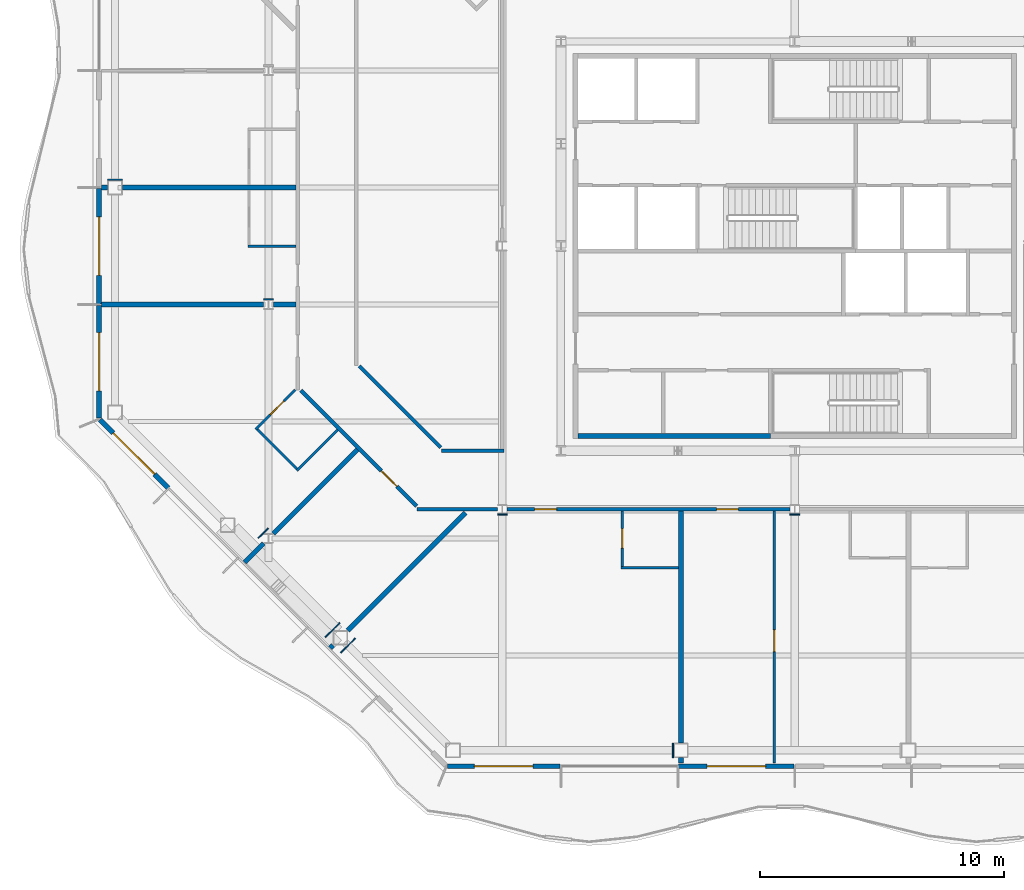
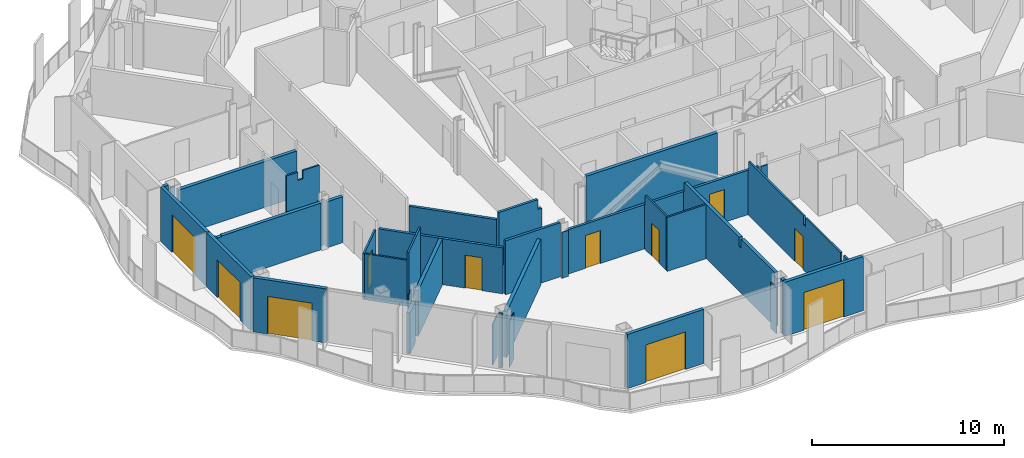
# One storey, part 7 of 21: 36 walls, 11 doors, 11 openings.
"""IFC4 building model written with IfcOpenShell, lengths in metres."""

from ifc_helpers import new_model, si_unit, direction, frame, frame_2d, origin, place, context, subcontext, project, spatial, polyline, rectangle, outline, extrude, material, layer, layer_set, type_object, element, fill, save


model = new_model("IFC4")

# Units and contexts
model_context = context("Model", 3, precision=1e-05, world=origin(), true_north=direction((0.0, 1.0)))
body_context = subcontext(model_context, "Body", "Model", "MODEL_VIEW")
ifc_project = project(units=[si_unit("LENGTHUNIT", "METRE"), si_unit("AREAUNIT", "SQUARE_METRE"), si_unit("VOLUMEUNIT", "CUBIC_METRE"), si_unit("PLANEANGLEUNIT", "RADIAN"), si_unit("MASSUNIT", "GRAM", prefix="KILO")], contexts=[model_context])

# Site, building, storey
site_placement = place(None, origin())
site = spatial("IfcSite", under=ifc_project, at=site_placement, CompositionType="ELEMENT")
building_placement = place(site_placement, origin())
building = spatial("IfcBuilding", under=site, at=building_placement, Name="Cairn Pilgrim Tower", CompositionType="ELEMENT")
storey_placement = place(building_placement, frame((0.0, 0.0, 157.800048828125)))
storey = spatial("IfcBuildingStorey", under=building, at=storey_placement, Name="L39", CompositionType="ELEMENT", Elevation=157.800048828125)

# Wall, opening, door
ifc_material_1 = material(Name="Bronze anodised aluminium insulated sandwich panel with mineral wool fill", Category="aluminium")
ifc_layer_1 = layer(ifc_material_1, 0.199951171875)
ifc_layer_set_1 = layer_set([ifc_layer_1], Name="BRONZE INFILL FRAME WALL 200")
wall_type_1 = type_object("IfcWallType", Name="BRONZE INFILL FRAME WALL 200", PredefinedType="NOTDEFINED", material=ifc_layer_set_1)
wall_1_placement = place(storey_placement, frame((-7.056396484375, -18.949951171875, 0.0), z_axis=(0.0, 0.0, 1.0), x_axis=(1.0, 0.0, 0.0)))
wall_1 = element("IfcWall", 1, at=wall_1_placement, inside=storey, type_object=wall_type_1, Name="Bronze infill frame wall IW-S1", PredefinedType="NOTDEFINED", context=body_context, shape_type="SweptSolid", body=[
    extrude(rectangle(XDim=4.62646484375, YDim=0.199951171875, at=frame_2d((2.313232421875, 0.0))), origin(), (0.0, 0.0, 1.0), 3.449951171875),
])
opening_1_placement = place(wall_1_placement, frame((1.1083984375, 0.0, 0.0)))
opening_1 = element("IfcOpeningElement", 2, at=opening_1_placement, cuts=wall_1, Name="Opening 3921B2", PredefinedType="OPENING", context=body_context, shape_type="SweptSolid", body=[
    extrude(rectangle(XDim=2.39990234375, YDim=2.39990234375, at=frame_2d((1.199951171875, 1.199951171875))), frame((0.0, 0.10986328125, 0.0), z_axis=(0.0, -1.0, 0.0), x_axis=(1.0, 0.0, 0.0)), (0.0, 0.0, 1.0), 0.219970703125),
])
ifc_material_2 = material(Name="Bronze anodised aluminium frame with tinted low-E glass", Category="aluminium")
door_type_1 = type_object("IfcDoorType", Name="BALCONY SLIDING DOOR 2400x2400", OperationType="DOUBLE_DOOR_SLIDING", PredefinedType="DOOR", material=ifc_material_2)
door_1_placement = place(opening_1_placement, origin())
door_1 = element("IfcDoor", 3, at=door_1_placement, inside=storey, type_object=door_type_1, Name="Balcony sliding door 3921B2", OperationType="SINGLE_SWING_LEFT", OverallHeight=2.39990234375, OverallWidth=2.39990234375, PredefinedType="DOOR", context=body_context, shape_type="SweptSolid", body=[
    extrude(rectangle(XDim=2.39990234375, YDim=2.39990234375, at=frame_2d((1.199951171875, 1.199951171875))), frame((0.0, 0.02490234375, 0.0), z_axis=(0.0, -1.0, 0.0), x_axis=(1.0, 0.0, 0.0)), (0.0, 0.0, 1.0), 0.050048828125),
])
fill(opening_1, door_1)

wall_2_placement = place(storey_placement, frame((2.429931640625, -18.949951171875, 0.0), z_axis=(0.0, 0.0, 1.0), x_axis=(1.0, 0.0, 0.0)))
wall_2 = element("IfcWall", 4, at=wall_2_placement, inside=storey, type_object=wall_type_1, Name="Bronze infill frame wall IW-S3", PredefinedType="NOTDEFINED", context=body_context, shape_type="SweptSolid", body=[
    extrude(rectangle(XDim=4.739990234375, YDim=0.199951171875, at=frame_2d((2.3701171875, 0.0))), origin(), (0.0, 0.0, 1.0), 3.449951171875),
])
opening_2_placement = place(wall_2_placement, frame((1.17041015625, 0.0, 0.0)))
opening_2 = element("IfcOpeningElement", 5, at=opening_2_placement, cuts=wall_2, Name="Opening 3922B", PredefinedType="OPENING", context=body_context, shape_type="SweptSolid", body=[
    extrude(rectangle(XDim=2.39990234375, YDim=2.39990234375, at=frame_2d((1.199951171875, 1.199951171875))), frame((0.0, 0.10986328125, 0.0), z_axis=(0.0, -1.0, 0.0), x_axis=(1.0, 0.0, 0.0)), (0.0, 0.0, 1.0), 0.219970703125),
])
door_2_placement = place(opening_2_placement, origin())
door_2 = element("IfcDoor", 6, at=door_2_placement, inside=storey, type_object=door_type_1, Name="Balcony sliding door 3922B", OperationType="SINGLE_SWING_LEFT", OverallHeight=2.39990234375, OverallWidth=2.39990234375, PredefinedType="DOOR", context=body_context, shape_type="SweptSolid", body=[
    extrude(rectangle(XDim=2.39990234375, YDim=2.39990234375, at=frame_2d((1.199951171875, 1.199951171875))), frame((0.0, 0.02490234375, 0.0), z_axis=(0.0, -1.0, 0.0), x_axis=(1.0, 0.0, 0.0)), (0.0, 0.0, 1.0), 0.050048828125),
])
fill(opening_2, door_2)

wall_3_placement = place(storey_placement, frame((-21.35009765625, 4.77001953125, 0.0), z_axis=(0.0, 0.0, 1.0), x_axis=(0.0, -1.0, 0.0)))
wall_3 = element("IfcWall", 7, at=wall_3_placement, inside=storey, type_object=wall_type_1, Name="Bronze infill frame wall IW-W3", PredefinedType="NOTDEFINED", context=body_context, shape_type="SweptSolid", body=[
    extrude(rectangle(XDim=4.739990234375, YDim=0.199951171875, at=frame_2d((2.3701171875, 0.0))), origin(), (0.0, 0.0, 1.0), 3.449951171875),
])
opening_3_placement = place(wall_3_placement, frame((1.169921875, 0.0, 0.0)))
opening_3 = element("IfcOpeningElement", 8, at=opening_3_placement, cuts=wall_3, Name="Opening 3918B", PredefinedType="OPENING", context=body_context, shape_type="SweptSolid", body=[
    extrude(rectangle(XDim=2.39990234375, YDim=2.39990234375, at=frame_2d((1.199951171875, 1.199951171875))), frame((0.0, 0.10986328125, 0.0), z_axis=(0.0, -1.0, 0.0), x_axis=(1.0, 0.0, 0.0)), (0.0, 0.0, 1.0), 0.219970703125),
])
door_3_placement = place(opening_3_placement, origin())
door_3 = element("IfcDoor", 9, at=door_3_placement, inside=storey, type_object=door_type_1, Name="Balcony sliding door 3918B", OperationType="SINGLE_SWING_LEFT", OverallHeight=2.39990234375, OverallWidth=2.39990234375, PredefinedType="DOOR", context=body_context, shape_type="SweptSolid", body=[
    extrude(rectangle(XDim=2.39990234375, YDim=2.39990234375, at=frame_2d((1.199951171875, 1.199951171875))), frame((0.0, 0.02490234375, 0.0), z_axis=(0.0, -1.0, 0.0), x_axis=(1.0, 0.0, 0.0)), (0.0, 0.0, 1.0), 0.050048828125),
])
fill(opening_3, door_3)

wall_4_placement = place(storey_placement, frame((-21.35009765625, -0.030029296875, 0.0), z_axis=(0.0, 0.0, 1.0), x_axis=(0.0, -1.0, 0.0)))
wall_4 = element("IfcWall", 10, at=wall_4_placement, inside=storey, type_object=wall_type_1, Name="Bronze infill frame wall IW-W4", PredefinedType="NOTDEFINED", context=body_context, shape_type="SweptSolid", body=[
    extrude(rectangle(XDim=4.62646484375, YDim=0.199951171875, at=frame_2d((2.313232421875, 0.0))), origin(), (0.0, 0.0, 1.0), 3.449951171875),
])
opening_4_placement = place(wall_4_placement, frame((1.117919921875, 0.0, 0.0)))
opening_4 = element("IfcOpeningElement", 11, at=opening_4_placement, cuts=wall_4, Name="Opening 3919B", PredefinedType="OPENING", context=body_context, shape_type="SweptSolid", body=[
    extrude(rectangle(XDim=2.39990234375, YDim=2.39990234375, at=frame_2d((1.199951171875, 1.199951171875))), frame((0.0, 0.10986328125, 0.0), z_axis=(0.0, -1.0, 0.0), x_axis=(1.0, 0.0, 0.0)), (0.0, 0.0, 1.0), 0.219970703125),
])
door_4_placement = place(opening_4_placement, origin())
door_4 = element("IfcDoor", 12, at=door_4_placement, inside=storey, type_object=door_type_1, Name="Balcony sliding door 3919B", OperationType="SINGLE_SWING_LEFT", OverallHeight=2.39990234375, OverallWidth=2.39990234375, PredefinedType="DOOR", context=body_context, shape_type="SweptSolid", body=[
    extrude(rectangle(XDim=2.39990234375, YDim=2.39990234375, at=frame_2d((1.199951171875, 1.199951171875))), frame((0.0, 0.02490234375, 0.0), z_axis=(0.0, -1.0, 0.0), x_axis=(1.0, 0.0, 0.0)), (0.0, 0.0, 1.0), 0.050048828125),
])
fill(opening_4, door_4)

wall_5_placement = place(storey_placement, frame((-21.32177734375, -4.724609375, 0.0), z_axis=(0.0, 0.0, 1.0), x_axis=(0.707106781187, -0.707106781187, 0.0)))
wall_5 = element("IfcWall", 13, at=wall_5_placement, inside=storey, type_object=wall_type_1, Name="Bronze infill frame wall IW-SW1", PredefinedType="NOTDEFINED", context=body_context, shape_type="SweptSolid", body=[
    extrude(rectangle(XDim=3.961669921875, YDim=0.199951171875, at=frame_2d((1.98095703125, 0.0))), origin(), (0.0, 0.0, 1.0), 3.449951171875),
])
opening_5_placement = place(wall_5_placement, frame((0.775390625, 0.0, 0.0)))
opening_5 = element("IfcOpeningElement", 14, at=opening_5_placement, cuts=wall_5, Name="Opening 3919B2", PredefinedType="OPENING", context=body_context, shape_type="SweptSolid", body=[
    extrude(rectangle(XDim=2.39990234375, YDim=2.39990234375, at=frame_2d((1.199951171875, 1.199951171875))), frame((0.0, 0.10986328125, 0.0), z_axis=(0.0, -1.0, 0.0), x_axis=(1.0, 0.0, 0.0)), (0.0, 0.0, 1.0), 0.219970703125),
])
door_5_placement = place(opening_5_placement, origin())
door_5 = element("IfcDoor", 15, at=door_5_placement, inside=storey, type_object=door_type_1, Name="Balcony sliding door 3919B2", OperationType="SINGLE_SWING_LEFT", OverallHeight=2.39990234375, OverallWidth=2.39990234375, PredefinedType="DOOR", context=body_context, shape_type="SweptSolid", body=[
    extrude(rectangle(XDim=2.39990234375, YDim=2.39990234375, at=frame_2d((1.199951171875, 1.199951171875))), frame((0.0, 0.02490234375, 0.0), z_axis=(0.0, -1.0, 0.0), x_axis=(1.0, 0.0, 0.0)), (0.0, 0.0, 1.0), 0.050048828125),
])
fill(opening_5, door_5)

# Wall
ifc_material_3 = material(Name="Concrete C32/40", Category="concrete")
ifc_layer_2 = layer(ifc_material_3, 0.199951171875)
ifc_layer_set_2 = layer_set([ifc_layer_2], Name="CORE OUTER WALL 200 EI 120")
wall_type_2 = type_object("IfcWallType", Name="CORE OUTER WALL 200 EI 120", PredefinedType="SOLIDWALL", material=ifc_layer_set_2)
wall_6_placement = place(storey_placement, frame((-1.699951171875, -5.39990234375, 0.0), z_axis=(0.0, 0.0, 1.0), x_axis=(1.0, 0.0, 0.0)))
element("IfcWall", 16, at=wall_6_placement, inside=storey, type_object=wall_type_2, Name="CW:L39:H01-1", PredefinedType="SOLIDWALL", context=body_context, shape_type="SweptSolid", body=[
    extrude(rectangle(XDim=7.89990234375, YDim=0.199951171875, at=frame_2d((3.949951171875, 0.0))), origin(), (0.0, 0.0, 1.0), 3.449951171875),
])

# Wall, opening, door
ifc_material_4 = material(Name="Gypsum partition")
ifc_layer_3 = layer(ifc_material_4, 0.10009765625)
ifc_layer_set_3 = layer_set([ifc_layer_3], Name="PARTITION 100 DRYWALL")
wall_type_3 = type_object("IfcWallType", Name="PARTITION 100 DRYWALL", PredefinedType="PARTITIONING", material=ifc_layer_set_3)
wall_7_placement = place(storey_placement, frame((6.35791015625, -18.820068359375, 0.0), z_axis=(0.0, 0.0, 1.0), x_axis=(0.0, 1.0, 0.0)))
wall_7 = element("IfcWall", 17, at=wall_7_placement, inside=storey, type_object=wall_type_3, Name="PARTITION W002", PredefinedType="PARTITIONING", context=body_context, shape_type="SweptSolid", body=[
    extrude(outline(polyline([(0.0, 0.0), (10.344970703125, 0.0), (10.344970703125, 2.829833984375), (10.27001953125, 2.829833984375), (10.26806640625, 3.449951171875), (4.52490234375, 3.449951171875), (4.52294921875, 2.8798828125), (4.31494140625, 2.8798828125), (4.31298828125, 3.449951171875), (0.669921875, 3.449951171875), (0.66796875, 2.929931640625), (0.3701171875, 2.929931640625), (0.367919921875, 3.449951171875), (0.0, 3.449951171875), (0.0, 0.0)])), frame((0.0, 0.050048828125, 0.0), z_axis=(0.0, -1.0, 0.0), x_axis=(1.0, 0.0, 0.0)), (0.0, 0.0, 1.0), 0.10009765625),
])
opening_6_placement = place(wall_7_placement, frame((4.570068359375, 0.0, 0.0)))
opening_6 = element("IfcOpeningElement", 18, at=opening_6_placement, cuts=wall_7, Name="Opening 3922C", PredefinedType="OPENING", context=body_context, shape_type="SweptSolid", body=[
    extrude(rectangle(XDim=0.89990234375, YDim=2.10009765625, at=frame_2d((0.449951171875, 1.050048828125))), frame((0.0, 0.06005859375, 0.0), z_axis=(0.0, -1.0, 0.0), x_axis=(1.0, 0.0, 0.0)), (0.0, 0.0, 1.0), 0.1201171875),
])
ifc_material_5 = material(Name="Timber door leaf", Category="wood")
door_type_2 = type_object("IfcDoorType", Name="SERVICE DOOR 900x2100", OperationType="NOTDEFINED", PredefinedType="DOOR", material=ifc_material_5)
door_6_placement = place(opening_6_placement, origin())
door_6 = element("IfcDoor", 19, at=door_6_placement, inside=storey, type_object=door_type_2, Name="DOOR 3922C", OperationType="SINGLE_SWING_LEFT", OverallHeight=2.10009765625, OverallWidth=0.89990234375, PredefinedType="DOOR", context=body_context, shape_type="SweptSolid", body=[
    extrude(rectangle(XDim=0.89990234375, YDim=2.10009765625, at=frame_2d((0.449951171875, 1.050048828125))), frame((0.0, 0.02490234375, 0.0), z_axis=(0.0, -1.0, 0.0), x_axis=(1.0, 0.0, 0.0)), (0.0, 0.0, 1.0), 0.050048828125),
])
fill(opening_6, door_6)

# Wall
wall_8_placement = place(storey_placement, frame((0.073974609375, -10.800048828125, 0.0), z_axis=(0.0, 0.0, 1.0), x_axis=(1.0, 0.0, 0.0)))
element("IfcWall", 20, at=wall_8_placement, inside=storey, type_object=wall_type_3, Name="PARTITION W011", PredefinedType="PARTITIONING", context=body_context, shape_type="SweptSolid", body=[
    extrude(rectangle(XDim=2.35009765625, YDim=0.10009765625, at=frame_2d((1.175048828125, 0.0))), origin(), (0.0, 0.0, 1.0), 3.449951171875),
])

# Wall, opening, door
wall_9_placement = place(storey_placement, frame((0.1240234375, -10.75, 0.0), z_axis=(0.0, 0.0, 1.0), x_axis=(0.0, 1.0, 0.0)))
wall_9 = element("IfcWall", 21, at=wall_9_placement, inside=storey, type_object=wall_type_3, Name="PARTITION W012", PredefinedType="PARTITIONING", context=body_context, shape_type="SweptSolid", body=[
    extrude(outline(polyline([(0.0, 0.0), (2.27490234375, 0.0), (2.27490234375, 2.829833984375), (2.199951171875, 2.829833984375), (2.197998046875, 3.449951171875), (0.0, 3.449951171875), (0.0, 0.0)])), frame((0.0, 0.050048828125, 0.0), z_axis=(0.0, -1.0, 0.0), x_axis=(1.0, 0.0, 0.0)), (0.0, 0.0, 1.0), 0.10009765625),
])
opening_7_placement = place(wall_9_placement, frame((0.75, 0.0, 0.0)))
opening_7 = element("IfcOpeningElement", 22, at=opening_7_placement, cuts=wall_9, Name="Opening 3921A", PredefinedType="OPENING", context=body_context, shape_type="SweptSolid", body=[
    extrude(rectangle(XDim=0.800048828125, YDim=2.10009765625, at=frame_2d((0.39990234375, 1.050048828125))), frame((0.0, 0.06005859375, 0.0), z_axis=(0.0, -1.0, 0.0), x_axis=(1.0, 0.0, 0.0)), (0.0, 0.0, 1.0), 0.1201171875),
])
door_type_3 = type_object("IfcDoorType", Name="WC DOOR 800x2100", OperationType="NOTDEFINED", PredefinedType="DOOR", material=ifc_material_5)
door_7_placement = place(opening_7_placement, origin())
door_7 = element("IfcDoor", 23, at=door_7_placement, inside=storey, type_object=door_type_3, Name="DOOR 3921A", OperationType="SINGLE_SWING_LEFT", OverallHeight=2.10009765625, OverallWidth=0.800048828125, PredefinedType="DOOR", context=body_context, shape_type="SweptSolid", body=[
    extrude(rectangle(XDim=0.800048828125, YDim=2.10009765625, at=frame_2d((0.39990234375, 1.050048828125))), frame((0.0, 0.02490234375, 0.0), z_axis=(0.0, -1.0, 0.0), x_axis=(1.0, 0.0, 0.0)), (0.0, 0.0, 1.0), 0.050048828125),
])
fill(opening_7, door_7)

# Walls
wall_10_placement = place(storey_placement, frame((-13.2353515625, -6.752685546875, 0.0), z_axis=(0.0, 0.0, 1.0), x_axis=(-0.707106781187, 0.707106781187, 0.0)))
element("IfcWall", 24, at=wall_10_placement, inside=storey, type_object=wall_type_3, Name="PARTITION W028", PredefinedType="PARTITIONING", context=body_context, shape_type="SweptSolid", body=[
    extrude(rectangle(XDim=2.2998046875, YDim=0.10009765625, at=frame_2d((1.14990234375, 0.0))), origin(), (0.0, 0.0, 1.0), 2.929931640625),
])
wall_11_placement = place(storey_placement, frame((-13.2353515625, -6.823486328125, 0.0), z_axis=(0.0, 0.0, 1.0), x_axis=(0.707106781187, 0.707106781187, 0.0)))
element("IfcWall", 25, at=wall_11_placement, inside=storey, type_object=wall_type_3, Name="PARTITION W029", PredefinedType="PARTITIONING", context=body_context, shape_type="SweptSolid", body=[
    extrude(rectangle(XDim=2.375, YDim=0.10009765625, at=frame_2d((1.1875, 0.0))), origin(), (0.0, 0.0, 1.0), 3.449951171875),
])

# Wall, opening, door
wall_12_placement = place(storey_placement, frame((-14.932373046875, -5.12646484375, 0.0), z_axis=(0.0, 0.0, 1.0), x_axis=(0.707106781187, 0.707106781187, 0.0)))
wall_12 = element("IfcWall", 26, at=wall_12_placement, inside=storey, type_object=wall_type_3, Name="PARTITION W036", PredefinedType="PARTITIONING", context=body_context, shape_type="SweptSolid", body=[
    extrude(rectangle(XDim=2.2939453125, YDim=0.10009765625, at=frame_2d((1.14697265625, 0.0))), origin(), (0.0, 0.0, 1.0), 2.929931640625),
])
opening_8_placement = place(wall_12_placement, frame((0.849853515625, 0.0, 0.0)))
opening_8 = element("IfcOpeningElement", 27, at=opening_8_placement, cuts=wall_12, Name="Opening 3919A", PredefinedType="OPENING", context=body_context, shape_type="SweptSolid", body=[
    extrude(rectangle(XDim=0.800048828125, YDim=2.10009765625, at=frame_2d((0.39990234375, 1.050048828125))), frame((0.0, 0.06005859375, 0.0), z_axis=(0.0, -1.0, 0.0), x_axis=(1.0, 0.0, 0.0)), (0.0, 0.0, 1.0), 0.1201171875),
])
door_8_placement = place(opening_8_placement, origin())
door_8 = element("IfcDoor", 28, at=door_8_placement, inside=storey, type_object=door_type_3, Name="DOOR 3919A", OperationType="SINGLE_SWING_RIGHT", OverallHeight=2.10009765625, OverallWidth=0.800048828125, PredefinedType="DOOR", context=body_context, shape_type="SweptSolid", body=[
    extrude(rectangle(XDim=0.800048828125, YDim=2.10009765625, at=frame_2d((0.39990234375, 1.050048828125))), frame((0.0, 0.02490234375, 0.0), z_axis=(0.0, -1.0, 0.0), x_axis=(1.0, 0.0, 0.0)), (0.0, 0.0, 1.0), 0.050048828125),
])
fill(opening_8, door_8)

# Walls
wall_13_placement = place(storey_placement, frame((-15.25, 2.39990234375, 0.0), z_axis=(0.0, 0.0, 1.0), x_axis=(1.0, 0.0, 0.0)))
element("IfcWall", 29, at=wall_13_placement, inside=storey, type_object=wall_type_3, Name="PARTITION W047", PredefinedType="PARTITIONING", context=body_context, shape_type="SweptSolid", body=[
    extrude(outline(polyline([(0.0, 0.0), (1.97509765625, 0.0), (1.97509765625, 3.449951171875), (1.0, 3.449951171875), (0.998046875, 2.929931640625), (0.699951171875, 2.929931640625), (0.697998046875, 3.449951171875), (0.0, 3.449951171875), (0.0, 0.0)])), frame((0.0, 0.050048828125, 0.0), z_axis=(0.0, -1.0, 0.0), x_axis=(1.0, 0.0, 0.0)), (0.0, 0.0, 1.0), 0.10009765625),
])
ifc_layer_4 = layer(ifc_material_4, 0.14990234375)
ifc_layer_set_4 = layer_set([ifc_layer_4], Name="PARTITION 150 DRYWALL EI 60")
wall_type_4 = type_object("IfcWallType", Name="PARTITION 150 DRYWALL EI 60", PredefinedType="PARTITIONING", material=ifc_layer_set_4)
wall_14_placement = place(storey_placement, frame((-8.300048828125, -8.39990234375, 0.0), z_axis=(0.0, 0.0, 1.0), x_axis=(1.0, 0.0, 0.0)))
element("IfcWall", 30, at=wall_14_placement, inside=storey, type_object=wall_type_4, Name="PARTITION W021", PredefinedType="PARTITIONING", context=body_context, shape_type="SweptSolid", body=[
    extrude(rectangle(XDim=3.300537109375, YDim=0.14990234375, at=frame_2d((1.650390625, 0.0))), origin(), (0.0, 0.0, 1.0), 3.449951171875),
])

# Wall, openings, doors
wall_15_placement = place(storey_placement, frame((-4.6005859375, -8.39990234375, 0.0), z_axis=(0.0, 0.0, 1.0), x_axis=(1.0, 0.0, 0.0)))
wall_15 = element("IfcWall", 31, at=wall_15_placement, inside=storey, type_object=wall_type_4, Name="PARTITION W022", PredefinedType="PARTITIONING", context=body_context, shape_type="SweptSolid", body=[
    extrude(rectangle(XDim=11.60107421875, YDim=0.14990234375, at=frame_2d((5.800537109375, 0.0))), origin(), (0.0, 0.0, 1.0), 2.829833984375),
])
opening_9_placement = place(wall_15_placement, frame((1.12451171875, 0.0, 0.0)))
opening_9 = element("IfcOpeningElement", 32, at=opening_9_placement, cuts=wall_15, Name="Opening 3921", PredefinedType="OPENING", context=body_context, shape_type="SweptSolid", body=[
    extrude(rectangle(XDim=0.89990234375, YDim=2.10009765625, at=frame_2d((0.449951171875, 1.050048828125))), frame((0.0, 0.0849609375, 0.0), z_axis=(0.0, -1.0, 0.0), x_axis=(1.0, 0.0, 0.0)), (0.0, 0.0, 1.0), 0.169921875),
])
opening_10_placement = place(wall_15_placement, frame((8.591552734375, 0.0, 0.0)))
opening_10 = element("IfcOpeningElement", 33, at=opening_10_placement, cuts=wall_15, Name="Opening 3922", PredefinedType="OPENING", context=body_context, shape_type="SweptSolid", body=[
    extrude(rectangle(XDim=0.89990234375, YDim=2.10009765625, at=frame_2d((0.449951171875, 1.050048828125))), frame((0.0, 0.0849609375, 0.0), z_axis=(0.0, -1.0, 0.0), x_axis=(1.0, 0.0, 0.0)), (0.0, 0.0, 1.0), 0.169921875),
])
door_type_4 = type_object("IfcDoorType", Name="ROOM DOOR 900x2100 FD30S", OperationType="NOTDEFINED", PredefinedType="DOOR", material=ifc_material_5)
door_9_placement = place(opening_9_placement, frame((0.89990234375, 0.0, 0.0), z_axis=(0.0, 0.0, 1.0), x_axis=(-1.0, 0.0, 0.0)))
door_9 = element("IfcDoor", 34, at=door_9_placement, inside=storey, type_object=door_type_4, Name="DOOR 3921", OperationType="SINGLE_SWING_LEFT", OverallHeight=2.10009765625, OverallWidth=0.89990234375, PredefinedType="DOOR", context=body_context, shape_type="SweptSolid", body=[
    extrude(rectangle(XDim=0.89990234375, YDim=2.10009765625, at=frame_2d((0.449951171875, 1.050048828125))), frame((0.0, 0.02490234375, 0.0), z_axis=(0.0, -1.0, 0.0), x_axis=(1.0, 0.0, 0.0)), (0.0, 0.0, 1.0), 0.050048828125),
])
fill(opening_9, door_9)
door_10_placement = place(opening_10_placement, frame((0.89990234375, 0.0, 0.0), z_axis=(0.0, 0.0, 1.0), x_axis=(-1.0, 0.0, 0.0)))
door_10 = element("IfcDoor", 35, at=door_10_placement, inside=storey, type_object=door_type_4, Name="DOOR 3922", OperationType="SINGLE_SWING_LEFT", OverallHeight=2.10009765625, OverallWidth=0.89990234375, PredefinedType="DOOR", context=body_context, shape_type="SweptSolid", body=[
    extrude(rectangle(XDim=0.89990234375, YDim=2.10009765625, at=frame_2d((0.449951171875, 1.050048828125))), frame((0.0, 0.02490234375, 0.0), z_axis=(0.0, -1.0, 0.0), x_axis=(1.0, 0.0, 0.0)), (0.0, 0.0, 1.0), 0.050048828125),
])
fill(opening_10, door_10)

# Wall, opening, door
wall_16_placement = place(storey_placement, frame((-8.322021484375, -8.27197265625, 0.0), z_axis=(0.0, 0.0, 1.0), x_axis=(-0.707106781187, 0.707106781187, 0.0)))
wall_16 = element("IfcWall", 36, at=wall_16_placement, inside=storey, type_object=wall_type_4, Name="PARTITION W025", PredefinedType="PARTITIONING", context=body_context, shape_type="SweptSolid", body=[
    extrude(rectangle(XDim=6.717529296875, YDim=0.14990234375, at=frame_2d((3.35888671875, 0.0))), origin(), (0.0, 0.0, 1.0), 2.929931640625),
])
opening_11_placement = place(wall_16_placement, frame((1.138916015625, 0.0, 0.0)))
opening_11 = element("IfcOpeningElement", 37, at=opening_11_placement, cuts=wall_16, Name="Opening 3920", PredefinedType="OPENING", context=body_context, shape_type="SweptSolid", body=[
    extrude(rectangle(XDim=0.89990234375, YDim=2.10009765625, at=frame_2d((0.449951171875, 1.050048828125))), frame((0.0, 0.0849609375, 0.0), z_axis=(0.0, -1.0, 0.0), x_axis=(1.0, 0.0, 0.0)), (0.0, 0.0, 1.0), 0.169921875),
])
door_type_5 = type_object("IfcDoorType", Name="SERVICE DOOR 900x2100 FD30S", OperationType="NOTDEFINED", PredefinedType="DOOR", material=ifc_material_5)
door_11_placement = place(opening_11_placement, origin())
door_11 = element("IfcDoor", 38, at=door_11_placement, inside=storey, type_object=door_type_5, Name="DOOR 3920", OperationType="SINGLE_SWING_LEFT", OverallHeight=2.10009765625, OverallWidth=0.89990234375, PredefinedType="DOOR", context=body_context, shape_type="SweptSolid", body=[
    extrude(rectangle(XDim=0.89990234375, YDim=2.10009765625, at=frame_2d((0.449951171875, 1.050048828125))), frame((0.0, 0.02490234375, 0.0), z_axis=(0.0, -1.0, 0.0), x_axis=(1.0, 0.0, 0.0)), (0.0, 0.0, 1.0), 0.050048828125),
])
fill(opening_11, door_11)

# Walls
wall_17_placement = place(storey_placement, frame((-7.30615234375, -6.0, 0.0), z_axis=(0.0, 0.0, 1.0), x_axis=(1.0, 0.0, 0.0)))
element("IfcWall", 39, at=wall_17_placement, inside=storey, type_object=wall_type_4, Name="PARTITION W030", PredefinedType="PARTITIONING", context=body_context, shape_type="SweptSolid", body=[
    extrude(outline(polyline([(0.0, 0.0), (2.5810546875, 0.0), (2.5810546875, 2.829833984375), (2.356201171875, 2.829833984375), (2.35400390625, 3.449951171875), (0.0, 3.449951171875), (0.0, 0.0)])), frame((0.0, 0.074951171875, 0.0), z_axis=(0.0, -1.0, 0.0), x_axis=(1.0, 0.0, 0.0)), (0.0, 0.0, 1.0), 0.14990234375),
])
wall_18_placement = place(storey_placement, frame((-7.327880859375, -5.8720703125, 0.0), z_axis=(0.0, 0.0, 1.0), x_axis=(-0.707106781187, 0.707106781187, 0.0)))
element("IfcWall", 40, at=wall_18_placement, inside=storey, type_object=wall_type_4, Name="PARTITION W032", PredefinedType="PARTITIONING", context=body_context, shape_type="SweptSolid", body=[
    extrude(rectangle(XDim=4.72900390625, YDim=0.14990234375, at=frame_2d((2.364501953125, 0.0))), origin(), (0.0, 0.0, 1.0), 2.929931640625),
])
ifc_layer_5 = layer(ifc_material_4, 0.050048828125)
ifc_layer_set_5 = layer_set([ifc_layer_5], Name="PARTITION 50 DRYWALL EI 60")
wall_type_5 = type_object("IfcWallType", Name="PARTITION 50 DRYWALL EI 60", PredefinedType="PARTITIONING", material=ifc_layer_set_5)
wall_19_placement = place(storey_placement, frame((2.19921875, -18.60009765625, 0.0), z_axis=(0.0, 0.0, 1.0), x_axis=(0.0, 1.0, 0.0)))
element("IfcWall", 41, at=wall_19_placement, inside=storey, type_object=wall_type_5, Name="COLUMN CASING WC01", PredefinedType="PARTITIONING", context=body_context, shape_type="SweptSolid", body=[
    extrude(rectangle(XDim=0.60009765625, YDim=0.050048828125, at=frame_2d((0.300048828125, 0.0))), origin(), (0.0, 0.0, 1.0), 2.929931640625),
])
wall_20_placement = place(storey_placement, frame((-12.069091796875, -13.657958984375, 0.0), z_axis=(0.0, 0.0, 1.0), x_axis=(0.707106781187, 0.707106781187, 0.0)))
element("IfcWall", 42, at=wall_20_placement, inside=storey, type_object=wall_type_5, Name="COLUMN CASING WC03", PredefinedType="PARTITIONING", context=body_context, shape_type="SweptSolid", body=[
    extrude(rectangle(XDim=0.848388671875, YDim=0.050048828125, at=frame_2d((0.42431640625, 0.0))), origin(), (0.0, 0.0, 1.0), 2.6298828125),
])
wall_21_placement = place(storey_placement, frame((-11.433837890625, -14.29345703125, 0.0), z_axis=(0.0, 0.0, 1.0), x_axis=(0.707106781187, 0.707106781187, 0.0)))
element("IfcWall", 43, at=wall_21_placement, inside=storey, type_object=wall_type_5, Name="COLUMN CASING WC04", PredefinedType="PARTITIONING", context=body_context, shape_type="SweptSolid", body=[
    extrude(rectangle(XDim=0.8486328125, YDim=0.050048828125, at=frame_2d((0.42431640625, 0.0))), origin(), (0.0, 0.0, 1.0), 2.929931640625),
])
wall_22_placement = place(storey_placement, frame((-14.813720703125, -9.582275390625, 0.0), z_axis=(0.0, 0.0, 1.0), x_axis=(0.707106781187, 0.707106781187, 0.0)))
element("IfcWall", 44, at=wall_22_placement, inside=storey, type_object=wall_type_5, Name="COLUMN CASING WC07", PredefinedType="PARTITIONING", context=body_context, shape_type="SweptSolid", body=[
    extrude(rectangle(XDim=0.56005859375, YDim=0.050048828125, at=frame_2d((0.280029296875, 0.0))), origin(), (0.0, 0.0, 1.0), 2.929931640625),
])
for number, where, z_axis, x_axis, name in (
    (45, (-4.99951171875, -8.62158203125, 0.0), (0.0, 0.0, 1.0), (1.0, 0.0, 0.0), "COLUMN CASING WC10"),
    (46, (7.00048828125, -8.62158203125, 0.0), (0.0, 0.0, 1.0), (1.0, 0.0, 0.0), "COLUMN CASING WC11"),
):
    element("IfcWall", number, at=place(storey_placement, frame(where, z_axis=z_axis, x_axis=x_axis)), inside=storey, type_object=wall_type_5, Name=name, PredefinedType="PARTITIONING", context=body_context, shape_type="SweptSolid", body=[
        extrude(rectangle(XDim=0.39892578125, YDim=0.050048828125, at=frame_2d((0.199462890625, 0.0))), origin(), (0.0, 0.0, 1.0), 2.929931640625),
    ])
wall_23_placement = place(storey_placement, frame((-14.599609375, 0.221435546875, 0.0), z_axis=(0.0, 0.0, 1.0), x_axis=(1.0, 0.0, 0.0)))
element("IfcWall", 47, at=wall_23_placement, inside=storey, type_object=wall_type_5, Name="COLUMN CASING WC17", PredefinedType="PARTITIONING", context=body_context, shape_type="SweptSolid", body=[
    extrude(rectangle(XDim=0.399169921875, YDim=0.050048828125, at=frame_2d((0.19970703125, 0.0))), origin(), (0.0, 0.0, 1.0), 2.929931640625),
])
wall_24_placement = place(storey_placement, frame((-21.0, 5.125, 0.0), z_axis=(0.0, 0.0, 1.0), x_axis=(1.0, 0.0, 0.0)))
element("IfcWall", 48, at=wall_24_placement, inside=storey, type_object=wall_type_5, Name="COLUMN CASING WC19", PredefinedType="PARTITIONING", context=body_context, shape_type="SweptSolid", body=[
    extrude(rectangle(XDim=0.60009765625, YDim=0.050048828125, at=frame_2d((0.300048828125, 0.0))), origin(), (0.0, 0.0, 1.0), 2.929931640625),
])
ifc_layer_6 = layer(ifc_material_4, 0.199951171875)
ifc_layer_set_6 = layer_set([ifc_layer_6], Name="SHAFT WALL 200 GYPSUM EI 60")
wall_type_6 = type_object("IfcWallType", Name="SHAFT WALL 200 GYPSUM EI 60", PredefinedType="PARTITIONING", material=ifc_layer_set_6)
wall_25_placement = place(storey_placement, frame((2.52392578125, -18.820068359375, 0.0), z_axis=(0.0, 0.0, 1.0), x_axis=(0.0, 1.0, 0.0)))
element("IfcWall", 49, at=wall_25_placement, inside=storey, type_object=wall_type_6, Name="PARTITION W001", PredefinedType="PARTITIONING", context=body_context, shape_type="SweptSolid", body=[
    extrude(rectangle(XDim=0.219970703125, YDim=0.199951171875, at=frame_2d((0.10986328125, 0.0))), origin(), (0.0, 0.0, 1.0), 3.449951171875),
])
wall_26_placement = place(storey_placement, frame((2.52392578125, -18.0, 0.0), z_axis=(0.0, 0.0, 1.0), x_axis=(0.0, 1.0, 0.0)))
element("IfcWall", 50, at=wall_26_placement, inside=storey, type_object=wall_type_6, Name="PARTITION W004", PredefinedType="PARTITIONING", context=body_context, shape_type="SweptSolid", body=[
    extrude(outline(polyline([(0.0, 0.0), (9.52490234375, 0.0), (9.52490234375, 2.829833984375), (9.449951171875, 2.829833984375), (9.447998046875, 3.449951171875), (3.705078125, 3.449951171875), (3.702880859375, 2.8798828125), (3.4951171875, 2.8798828125), (3.492919921875, 3.449951171875), (0.0, 3.449951171875), (0.0, 0.0)])), frame((0.0, 0.10009765625, 0.0), z_axis=(0.0, -1.0, 0.0), x_axis=(1.0, 0.0, 0.0)), (0.0, 0.0, 1.0), 0.199951171875),
])
wall_27_placement = place(storey_placement, frame((-11.868896484375, -14.0927734375, 0.0), z_axis=(0.0, 0.0, 1.0), x_axis=(0.707106781187, 0.707106781187, 0.0)))
element("IfcWall", 51, at=wall_27_placement, inside=storey, type_object=wall_type_6, Name="PARTITION W006", PredefinedType="PARTITIONING", context=body_context, shape_type="SweptSolid", body=[
    extrude(rectangle(XDim=0.165771484375, YDim=0.199951171875, at=frame_2d((0.0830078125, 0.0))), origin(), (0.0, 0.0, 1.0), 3.449951171875),
])
wall_28_placement = place(storey_placement, frame((-11.151611328125, -13.37548828125, 0.0), z_axis=(0.0, 0.0, 1.0), x_axis=(0.707106781187, 0.707106781187, 0.0)))
element("IfcWall", 52, at=wall_28_placement, inside=storey, type_object=wall_type_6, Name="PARTITION W008", PredefinedType="PARTITIONING", context=body_context, shape_type="SweptSolid", body=[
    extrude(rectangle(XDim=6.830322265625, YDim=0.199951171875, at=frame_2d((3.4150390625, 0.0))), origin(), (0.0, 0.0, 1.0), 2.929931640625),
])
wall_29_placement = place(storey_placement, frame((-15.380859375, -10.580810546875, 0.0), z_axis=(0.0, 0.0, 1.0), x_axis=(0.707217034054, 0.706996511125, 0.0)))
element("IfcWall", 53, at=wall_29_placement, inside=storey, type_object=wall_type_6, Name="PARTITION W015", PredefinedType="PARTITIONING", context=body_context, shape_type="SweptSolid", body=[
    extrude(rectangle(XDim=1.107177734375, YDim=0.199951171875, at=frame_2d((0.5537109375, 0.0))), origin(), (0.0, 0.0, 1.0), 2.6298828125),
])
wall_30_placement = place(storey_placement, frame((-14.201904296875, -9.402099609375, 0.0), z_axis=(0.0, 0.0, 1.0), x_axis=(0.707081776084, 0.707131785404, 0.0)))
element("IfcWall", 54, at=wall_30_placement, inside=storey, type_object=wall_type_6, Name="PARTITION W019", PredefinedType="PARTITIONING", context=body_context, shape_type="SweptSolid", body=[
    extrude(rectangle(XDim=4.8818359375, YDim=0.199951171875, at=frame_2d((2.44091796875, 0.0))), origin(), (0.0, 0.0, 1.0), 2.929931640625),
])
wall_31_placement = place(storey_placement, frame((-21.25, 0.0, 0.0), z_axis=(0.0, 0.0, 1.0), x_axis=(1.0, 0.0, 0.0)))
element("IfcWall", 55, at=wall_31_placement, inside=storey, type_object=wall_type_6, Name="PARTITION W040", PredefinedType="PARTITIONING", context=body_context, shape_type="SweptSolid", body=[
    extrude(outline(polyline([(0.0, 0.0), (6.650390625, 0.0), (6.650390625, 2.97998046875), (0.699951171875, 2.97998046875), (0.697998046875, 2.929931640625), (0.39990234375, 2.929931640625), (0.39794921875, 2.97998046875), (0.0, 2.97998046875), (0.0, 0.0)])), frame((0.0, 0.10009765625, 0.0), z_axis=(0.0, -1.0, 0.0), x_axis=(1.0, 0.0, 0.0)), (0.0, 0.0, 1.0), 0.199951171875),
])
wall_32_placement = place(storey_placement, frame((-14.200439453125, 0.0, 0.0), z_axis=(0.0, 0.0, 1.0), x_axis=(1.0, 0.0, 0.0)))
element("IfcWall", 56, at=wall_32_placement, inside=storey, type_object=wall_type_6, Name="PARTITION W041", PredefinedType="PARTITIONING", context=body_context, shape_type="SweptSolid", body=[
    extrude(rectangle(XDim=0.925537109375, YDim=0.199951171875, at=frame_2d((0.462890625, 0.0))), origin(), (0.0, 0.0, 1.0), 2.929931640625),
])
wall_33_placement = place(storey_placement, frame((-21.25, 4.800048828125, 0.0), z_axis=(0.0, 0.0, 1.0), x_axis=(1.0, 0.0, 0.0)))
element("IfcWall", 57, at=wall_33_placement, inside=storey, type_object=wall_type_6, Name="PARTITION W055", PredefinedType="PARTITIONING", context=body_context, shape_type="SweptSolid", body=[
    extrude(rectangle(XDim=0.25, YDim=0.199951171875, at=frame_2d((0.125, 0.0))), origin(), (0.0, 0.0, 1.0), 3.449951171875),
])
wall_34_placement = place(storey_placement, frame((-20.39990234375, 4.800048828125, 0.0), z_axis=(0.0, 0.0, 1.0), x_axis=(1.0, 0.0, 0.0)))
element("IfcWall", 58, at=wall_34_placement, inside=storey, type_object=wall_type_6, Name="PARTITION W056", PredefinedType="PARTITIONING", context=body_context, shape_type="SweptSolid", body=[
    extrude(rectangle(XDim=7.125, YDim=0.199951171875, at=frame_2d((3.5625, 0.0))), origin(), (0.0, 0.0, 1.0), 2.929931640625),
])

save(model, "model.ifc")
